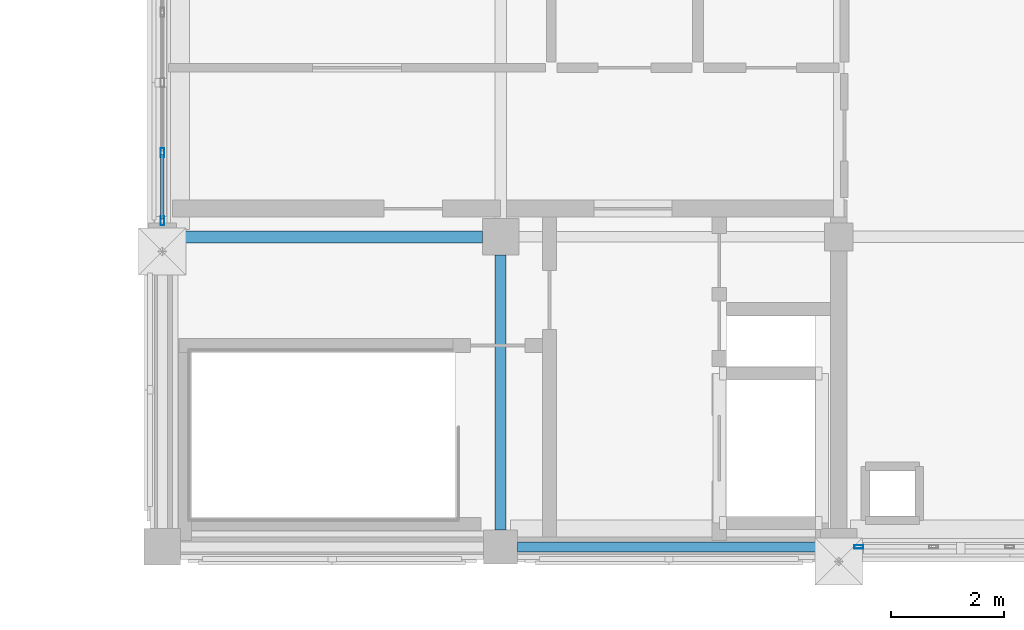
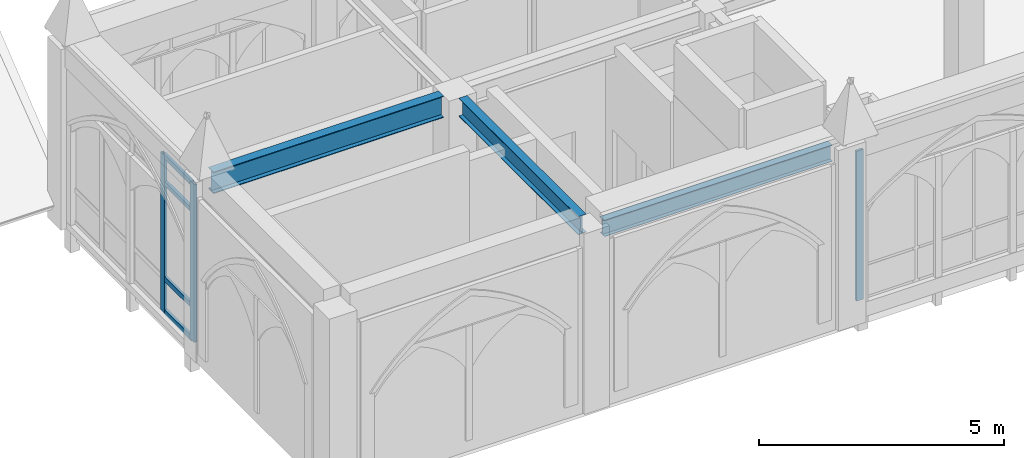
# One storey, part 2 of 143: 7 members, 3 beams, 2 elements without a shape of their own.
"""IFC4 building model written with IfcOpenShell, lengths in metres."""

from ifc_helpers import new_model, si_unit, direction, frame, origin, origin_2d, place, context, subcontext, project, spatial, hollow_rectangle, i_section, extrude, material, layer, layer_set, material_profile, profile_set, type_object, element, aggregate, save


model = new_model("IFC4")

# Units and contexts
model_context = context("Model", 3, precision=1e-05, world=origin(), true_north=direction((0.0, 1.0)))
body_context = subcontext(model_context, "Body", "Model", "MODEL_VIEW")
ifc_project = project(units=[si_unit("LENGTHUNIT", "METRE"), si_unit("AREAUNIT", "SQUARE_METRE"), si_unit("VOLUMEUNIT", "CUBIC_METRE"), si_unit("PLANEANGLEUNIT", "RADIAN"), si_unit("MASSUNIT", "GRAM", prefix="KILO")], contexts=[model_context])

# Site, building, storey
site_placement = place(None, origin())
site = spatial("IfcSite", under=ifc_project, at=site_placement, CompositionType="ELEMENT")
building_placement = place(site_placement, origin())
building = spatial("IfcBuilding", under=site, at=building_placement, Name="Cumevento Cable Car Station", CompositionType="ELEMENT")
storey_placement = place(building_placement, frame((0.0, 0.0, 9.0)))
storey = spatial("IfcBuildingStorey", under=building, at=storey_placement, Name="L03", CompositionType="ELEMENT", Elevation=9.0)

# Curtain wall, member
ifc_material_1 = material(Name="Anodised Bronze Aluminium AW-6063-T6", Category="aluminium")
ifc_layer_1 = layer(ifc_material_1, 0.18408203125)
ifc_layer_set_1 = layer_set([ifc_layer_1], Name="Anodised Bronze Aluminium AW-6063-T6")
curtain_wall_type_1 = type_object("IfcCurtainWallType", Name="Lancet Curtain Wall CW-05 1210", PredefinedType="NOTDEFINED", material=ifc_layer_set_1)
curtain_wall_1_placement = place(storey_placement, origin())
curtain_wall_1 = element("IfcCurtainWall", 1, at=curtain_wall_1_placement, inside=storey, type_object=curtain_wall_type_1, Name="Lancet Curtain Wall CW-05 L03 #68", PredefinedType="NOTDEFINED")
ifc_material_2 = material(Name="Anodised Bronze Aluminium AW-6063-T6", Category="aluminium")
ifc_material_profile_1 = material_profile(ifc_material_2, hollow_rectangle(XDim=0.06494140625, YDim=0.159912109375, WallThickness=0.00390625, at=origin_2d()), Name="ALUM65x160x4")
ifc_profile_set_1 = profile_set([ifc_material_profile_1], Name="Anodised Bronze Aluminium AW-6063-T6")
member_type_1 = type_object("IfcMemberType", Name="Curtain Mullion CWM-01 ALUM65x160x4", PredefinedType="MULLION", material=ifc_profile_set_1)
member_1_placement = place(storey_placement, frame((34.357421875, 4.0, 0.360107421875), z_axis=(0.0, 0.0, 1.0), x_axis=(0.0, -1.0, 0.0)))
member_1 = element("IfcMember", 2, at=member_1_placement, type_object=member_type_1, Name="CW-05 mullion 5", PredefinedType="MULLION", context=body_context, shape_type="SweptSolid", body=[
    extrude(hollow_rectangle(XDim=0.06494140625, YDim=0.159912109375, WallThickness=0.00390625, at=origin_2d()), origin(), (0.0, 0.0, 1.0), 3.73291015625),
])
aggregate(curtain_wall_1, [member_1])

# Curtain wall, members
ifc_material_3 = material(Name="Anodised Bronze Aluminium AW-6063-T6", Category="aluminium")
ifc_layer_2 = layer(ifc_material_3, 0.2080078125)
ifc_layer_set_2 = layer_set([ifc_layer_2], Name="Anodised Bronze Aluminium AW-6063-T6")
curtain_wall_type_2 = type_object("IfcCurtainWallType", Name="Lancet Curtain Wall CW-09 1370", PredefinedType="NOTDEFINED", material=ifc_layer_set_2)
curtain_wall_2_placement = place(storey_placement, origin())
curtain_wall_2 = element("IfcCurtainWall", 3, at=curtain_wall_2_placement, inside=storey, type_object=curtain_wall_type_2, Name="Lancet Curtain Wall CW-09 L03 #72", PredefinedType="NOTDEFINED")
member_2_placement = place(storey_placement, frame((22.0, 9.782470703125, 0.159912109375), z_axis=(0.0, 0.0, 1.0), x_axis=(-1.0, 0.0, 0.0)))
member_2 = element("IfcMember", 4, at=member_2_placement, type_object=member_type_1, Name="CW-09 mullion 1", PredefinedType="MULLION", context=body_context, shape_type="SweptSolid", body=[
    extrude(hollow_rectangle(XDim=0.06494140625, YDim=0.159912109375, WallThickness=0.00390625, at=origin_2d()), origin(), (0.0, 0.0, 1.0), 3.93310546875),
])
member_3_placement = place(storey_placement, frame((22.0, 10.99365234375, 0.159912109375), z_axis=(0.0, 0.0, 1.0), x_axis=(-1.0, 0.0, 0.0)))
member_3 = element("IfcMember", 5, at=member_3_placement, type_object=member_type_1, Name="CW-09 mullion 2", PredefinedType="MULLION", context=body_context, shape_type="SweptSolid", body=[
    extrude(hollow_rectangle(XDim=0.06494140625, YDim=0.159912109375, WallThickness=0.00390625, at=origin_2d()), origin(), (0.0, 0.0, 1.0), 3.93310546875),
])
ifc_material_4 = material(Name="Anodised Bronze Aluminium AW-6063-T6", Category="aluminium")
ifc_material_profile_2 = material_profile(ifc_material_4, hollow_rectangle(XDim=0.06494140625, YDim=0.1201171875, WallThickness=0.00390625, at=origin_2d()), Name="ALUT65x120x4")
ifc_profile_set_2 = profile_set([ifc_material_profile_2], Name="Anodised Bronze Aluminium AW-6063-T6")
member_type_2 = type_object("IfcMemberType", Name="Curtain Transom CWT-01 ALUT65x120x4", PredefinedType="USERDEFINED", material=ifc_profile_set_2)
member_4_placement = place(storey_placement, frame((22.0, 9.81494140625, 0.1923828125), z_axis=(0.0, 1.0, 0.0), x_axis=(-1.0, 0.0, 0.0)))
member_4 = element("IfcMember", 6, at=member_4_placement, type_object=member_type_2, Name="CW-09 transom 1.1", ObjectType="TRANSOM", PredefinedType="USERDEFINED", context=body_context, shape_type="SweptSolid", body=[
    extrude(hollow_rectangle(XDim=0.06494140625, YDim=0.1201171875, WallThickness=0.00390625, at=origin_2d()), origin(), (0.0, 0.0, 1.0), 1.146240234375),
])
member_5_placement = place(storey_placement, frame((22.0, 9.81494140625, 1.010009765625), z_axis=(0.0, 1.0, 0.0), x_axis=(-1.0, 0.0, 0.0)))
member_5 = element("IfcMember", 7, at=member_5_placement, type_object=member_type_2, Name="CW-09 transom 1.2", ObjectType="TRANSOM", PredefinedType="USERDEFINED", context=body_context, shape_type="SweptSolid", body=[
    extrude(hollow_rectangle(XDim=0.06494140625, YDim=0.1201171875, WallThickness=0.00390625, at=origin_2d()), origin(), (0.0, 0.0, 1.0), 1.146240234375),
])
member_6_placement = place(storey_placement, frame((22.0, 9.81494140625, 3.39306640625), z_axis=(0.0, 1.0, 0.0), x_axis=(-1.0, 0.0, 0.0)))
member_6 = element("IfcMember", 8, at=member_6_placement, type_object=member_type_2, Name="CW-09 transom 1.3", ObjectType="TRANSOM", PredefinedType="USERDEFINED", context=body_context, shape_type="SweptSolid", body=[
    extrude(hollow_rectangle(XDim=0.06494140625, YDim=0.1201171875, WallThickness=0.00390625, at=origin_2d()), origin(), (0.0, 0.0, 1.0), 1.146240234375),
])
member_7_placement = place(storey_placement, frame((22.0, 9.81494140625, 4.060546875), z_axis=(0.0, 1.0, 0.0), x_axis=(-1.0, 0.0, 0.0)))
member_7 = element("IfcMember", 9, at=member_7_placement, type_object=member_type_2, Name="CW-09 transom 1.4", ObjectType="TRANSOM", PredefinedType="USERDEFINED", context=body_context, shape_type="SweptSolid", body=[
    extrude(hollow_rectangle(XDim=0.06494140625, YDim=0.1201171875, WallThickness=0.00390625, at=origin_2d()), origin(), (0.0, 0.0, 1.0), 1.146240234375),
])
aggregate(curtain_wall_2, [member_2, member_3, member_4, member_5, member_6, member_7])

# Beams
ifc_material_5 = material(Name="Steel ASTM A572 Grade 50", Category="steel")
ifc_material_profile_3 = material_profile(ifc_material_5, i_section(OverallWidth=0.18994140625, OverallDepth=0.45703125, WebThickness=0.009033203125, FlangeThickness=0.014404296875, at=origin_2d()), Name="W460x74.0")
ifc_profile_set_3 = profile_set([ifc_material_profile_3], Name="Steel ASTM A572 Grade 50")
beam_type_1 = type_object("IfcBeamType", Name="Structural Beam BM-04 W460x74.0", PredefinedType="BEAM", material=ifc_profile_set_3)
beam_1_placement = place(storey_placement, frame((28.0, 4.300048828125, 4.271484375), z_axis=(0.0, 1.0, 0.0), x_axis=(-1.0, 0.0, 0.0)))
element("IfcBeam", 10, at=beam_1_placement, inside=storey, type_object=beam_type_1, Name="Beam BM-04 L03 #938", PredefinedType="BEAM", context=body_context, shape_type="SweptSolid", body=[
    extrude(i_section(OverallWidth=0.18994140625, OverallDepth=0.45703125, WebThickness=0.009033203125, FlangeThickness=0.014404296875, at=origin_2d()), origin(), (0.0, 0.0, 1.0), 4.875),
])
ifc_material_6 = material(Name="Steel ASTM A572 Grade 50", Category="steel")
ifc_material_profile_4 = material_profile(ifc_material_6, i_section(OverallWidth=0.2109375, OverallDepth=0.5390625, WebThickness=0.01171875, FlangeThickness=0.018798828125, at=origin_2d()), Name="W530x109.0")
ifc_profile_set_4 = profile_set([ifc_material_profile_4], Name="Steel ASTM A572 Grade 50")
beam_type_2 = type_object("IfcBeamType", Name="Structural Beam BM-11 W530x109.0", PredefinedType="BEAM", material=ifc_profile_set_4)
beam_2_placement = place(storey_placement, frame((22.25, 9.5, 4.23046875), z_axis=(1.0, 0.0, 0.0), x_axis=(0.0, 1.0, 0.0)))
element("IfcBeam", 11, at=beam_2_placement, inside=storey, type_object=beam_type_2, Name="Beam BM-11 L03 #928", PredefinedType="BEAM", context=body_context, shape_type="SweptSolid", body=[
    extrude(i_section(OverallWidth=0.2109375, OverallDepth=0.5390625, WebThickness=0.01171875, FlangeThickness=0.018798828125, at=origin_2d()), origin(), (0.0, 0.0, 1.0), 5.425048828125),
])
ifc_material_7 = material(Name="Steel ASTM A572 Grade 50", Category="steel")
ifc_material_profile_5 = material_profile(ifc_material_7, i_section(OverallWidth=0.177978515625, OverallDepth=0.406982421875, WebThickness=0.0078125, FlangeThickness=0.0126953125, at=origin_2d()), Name="W410x60.0")
ifc_profile_set_5 = profile_set([ifc_material_profile_5], Name="Steel ASTM A572 Grade 50")
beam_type_3 = type_object("IfcBeamType", Name="Structural Spandrel SP-01 W410x60.0", PredefinedType="SPANDREL", material=ifc_profile_set_5)
beam_3_placement = place(storey_placement, frame((28.300048828125, 4.0, 4.29638671875), z_axis=(1.0, 0.0, 0.0), x_axis=(0.0, 1.0, 0.0)))
element("IfcBeam", 12, at=beam_3_placement, inside=storey, type_object=beam_type_3, Name="Beam SP-01 L03 #925", PredefinedType="SPANDREL", context=body_context, shape_type="SweptSolid", body=[
    extrude(i_section(OverallWidth=0.177978515625, OverallDepth=0.406982421875, WebThickness=0.0078125, FlangeThickness=0.0126953125, at=origin_2d()), origin(), (0.0, 0.0, 1.0), 5.375),
])

save(model, "model.ifc")
